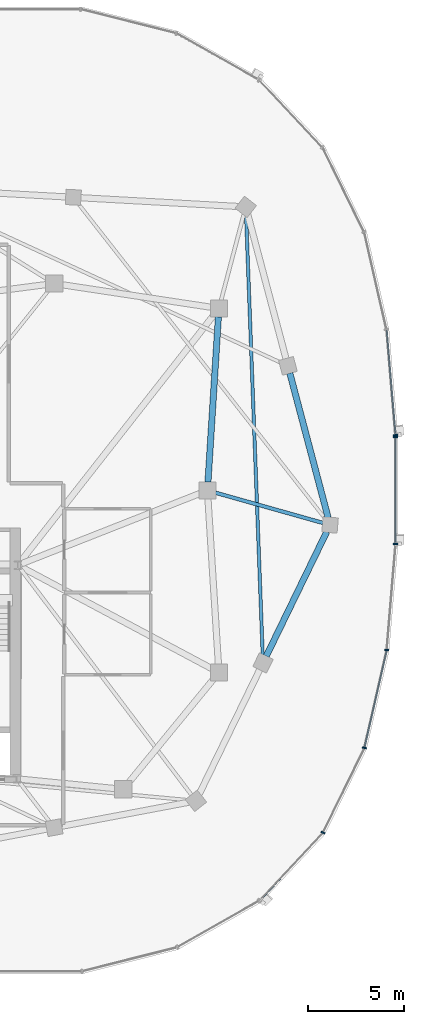
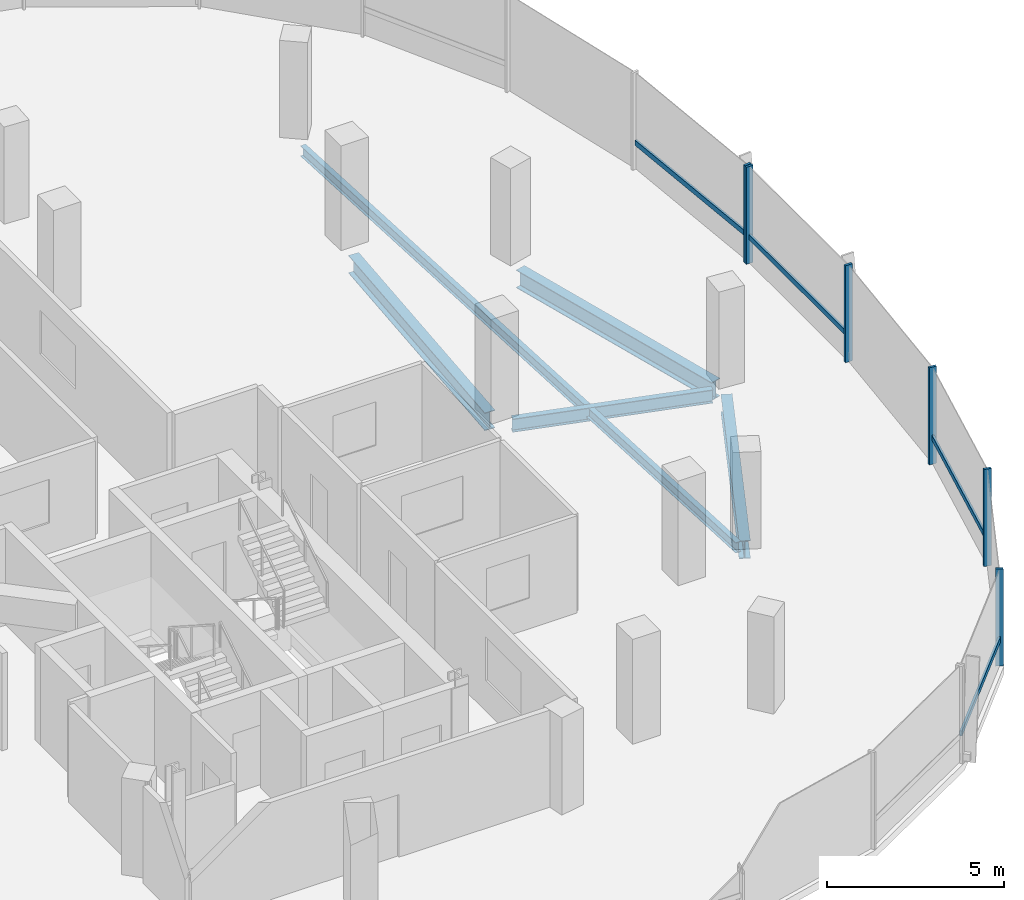
# One storey, part 9 of 25: 10 members, 5 beams, 2 elements without a shape of their own.
"""IFC4 building model written with IfcOpenShell, lengths in metres."""

from ifc_helpers import new_model, si_unit, direction, frame, origin, origin_2d, place, context, subcontext, project, spatial, rectangle, i_section, extrude, material, material_profile, profile_set, type_object, element, aggregate, save


model = new_model("IFC4")

# Units and contexts
model_context = context("Model", 3, precision=1e-05, world=origin(), true_north=direction((0.0, 1.0)))
body_context = subcontext(model_context, "Body", "Model", "MODEL_VIEW")
ifc_project = project(units=[si_unit("LENGTHUNIT", "METRE"), si_unit("AREAUNIT", "SQUARE_METRE"), si_unit("VOLUMEUNIT", "CUBIC_METRE"), si_unit("PLANEANGLEUNIT", "RADIAN"), si_unit("MASSUNIT", "GRAM", prefix="KILO"), si_unit("THERMODYNAMICTEMPERATUREUNIT", "KELVIN"), si_unit("POWERUNIT", "WATT")], contexts=[model_context])

# Site, building, storey
site_placement = place(None, origin())
site = spatial("IfcSite", under=ifc_project, at=site_placement, CompositionType="ELEMENT")
building_placement = place(site_placement, origin())
building = spatial("IfcBuilding", under=site, at=building_placement, Name="Cundina Bronze Exchange", CompositionType="ELEMENT")
storey_placement = place(building_placement, frame((0.0, 0.0, 272.0)))
storey = spatial("IfcBuildingStorey", under=building, at=storey_placement, Name="L72", CompositionType="ELEMENT", Elevation=272.0)

# Beams
ifc_material_1 = material(Name="Steel ASTM A992 Grade 50", Category="steel")
ifc_material_profile_1 = material_profile(ifc_material_1, i_section(OverallWidth=0.19091796875, OverallDepth=0.4599609375, WebThickness=0.010009765625, FlangeThickness=0.01611328125, FilletRadius=0.011962890625, at=origin_2d()), Name="W18X55", Category="steel")
ifc_profile_set_1 = profile_set([ifc_material_profile_1], Name="Steel ASTM A992 Grade 50")
beam_type_1 = type_object("IfcBeamType", Name="BM-FLR-W18B", PredefinedType="BEAM", material=ifc_profile_set_1)
beam_1_placement = place(storey_placement, frame((41.62158203125, -0.11865234375, -0.489990234375), z_axis=(0.962650257113, -0.270748005496, 0.0), x_axis=(0.270748005496, 0.962650257113, 0.0)))
element("IfcBeam", 1, at=beam_1_placement, inside=storey, type_object=beam_type_1, Name="L72 Leg E Chordal Floor Beam 08", PredefinedType="BEAM", context=body_context, shape_type="SweptSolid", body=[
    extrude(i_section(OverallWidth=0.19091796875, OverallDepth=0.4599609375, WebThickness=0.010009765625, FlangeThickness=0.01611328125, FilletRadius=0.011962890625, at=origin_2d()), origin(), (0.0, 0.0, 1.0), 5.822509765625),
])
ifc_material_profile_2 = material_profile(ifc_material_1, i_section(OverallWidth=0.172119140625, OverallDepth=0.35791015625, WebThickness=0.0078125, FlangeThickness=0.01318359375, FilletRadius=0.010009765625, at=origin_2d()), Name="W14X38", Category="steel")
ifc_profile_set_2 = profile_set([ifc_material_profile_2], Name="Steel ASTM A992 Grade 50")
beam_type_2 = type_object("IfcBeamType", Name="BM-JST-W14", PredefinedType="JOIST", material=ifc_profile_set_2)
beam_2_placement = place(storey_placement, frame((44.085205078125, -8.6123046875, -0.43896484375), z_axis=(-0.037784872152, 0.999285896746, 0.0), x_axis=(-0.999285896746, -0.037784872152, 0.0)))
element("IfcBeam", 2, at=beam_2_placement, inside=storey, type_object=beam_type_2, Name="L72 Leg E Lobe Floor Joist 07-10", PredefinedType="JOIST", context=body_context, shape_type="SweptSolid", body=[
    extrude(i_section(OverallWidth=0.172119140625, OverallDepth=0.35791015625, WebThickness=0.0078125, FlangeThickness=0.01318359375, FilletRadius=0.010009765625, at=origin_2d()), origin(), (0.0, 0.0, 1.0), 23.041015625),
])
ifc_material_profile_3 = material_profile(ifc_material_1, i_section(OverallWidth=0.324951171875, OverallDepth=0.615966796875, WebThickness=0.013916015625, FlangeThickness=0.021484375, FilletRadius=0.01611328125, at=origin_2d()), Name="W24X117", Category="steel")
ifc_profile_set_3 = profile_set([ifc_material_profile_3], Name="Steel ASTM A992 Grade 50")
beam_type_3 = type_object("IfcBeamType", Name="BM-RING-W24", PredefinedType="USERDEFINED", material=ifc_profile_set_3)
beam_3_placement = place(storey_placement, frame((41.2275390625, 0.43701171875, -0.568115234375), z_axis=(0.063046519736, 0.998010589297, 0.0), x_axis=(-0.998010589297, 0.063046519736, 0.0)))
element("IfcBeam", 3, at=beam_3_placement, inside=storey, type_object=beam_type_3, Name="L72 E Inner Structural Ring Girder 04", ObjectType="GIRDER", PredefinedType="USERDEFINED", context=body_context, shape_type="SweptSolid", body=[
    extrude(i_section(OverallWidth=0.324951171875, OverallDepth=0.615966796875, WebThickness=0.013916015625, FlangeThickness=0.021484375, FilletRadius=0.01611328125, at=origin_2d()), origin(), (0.0, 0.0, 1.0), 8.64306640625),
])
beam_4_placement = place(storey_placement, frame((44.26953125, -8.65087890625, -0.568115234375), z_axis=(0.437216986791, 0.899356050995, 0.0), x_axis=(-0.899356050995, 0.437216986791, 0.0)))
element("IfcBeam", 4, at=beam_4_placement, inside=storey, type_object=beam_type_3, Name="L72 E Perimeter Ring Girder 07", ObjectType="GIRDER", PredefinedType="USERDEFINED", context=body_context, shape_type="SweptSolid", body=[
    extrude(i_section(OverallWidth=0.324951171875, OverallDepth=0.615966796875, WebThickness=0.013916015625, FlangeThickness=0.021484375, FilletRadius=0.01611328125, at=origin_2d()), origin(), (0.0, 0.0, 1.0), 7.2294921875),
])
beam_5_placement = place(storey_placement, frame((47.50048828125, -1.425048828125, -0.568115234375), z_axis=(-0.256183793797, 0.966628089699, 0.0), x_axis=(-0.966628089699, -0.256183793797, 0.0)))
element("IfcBeam", 5, at=beam_5_placement, inside=storey, type_object=beam_type_3, Name="L72 E Perimeter Ring Girder 08", ObjectType="GIRDER", PredefinedType="USERDEFINED", context=body_context, shape_type="SweptSolid", body=[
    extrude(i_section(OverallWidth=0.324951171875, OverallDepth=0.615966796875, WebThickness=0.013916015625, FlangeThickness=0.021484375, FilletRadius=0.01611328125, at=origin_2d()), origin(), (0.0, 0.0, 1.0), 7.810791015625),
])

# Curtain wall, member
ifc_material_2 = material(Name="Anodised Bronze Aluminium 6063-T6", Category="aluminium")
curtain_wall_type = type_object("IfcCurtainWallType", Name="CWS-SKG-BRG", PredefinedType="NOTDEFINED", material=ifc_material_2)
curtain_wall_1_placement = place(storey_placement, origin())
curtain_wall_1 = element("IfcCurtainWall", 6, at=curtain_wall_1_placement, inside=storey, type_object=curtain_wall_type, Name="L72 CW-06 Curtain Wall Run CWR-L72-E1", PredefinedType="NOTDEFINED")
ifc_material_profile_4 = material_profile(ifc_material_2, rectangle(XDim=0.074951171875, YDim=0.219970703125, at=origin_2d()), Name="AL75X220", Category="aluminium")
ifc_profile_set_4 = profile_set([ifc_material_profile_4], Name="Anodised Bronze Aluminium 6063-T6")
member_type_1 = type_object("IfcMemberType", Name="CWM-MUL-220", PredefinedType="MULLION", material=ifc_profile_set_4)
member_1_placement = place(storey_placement, frame((51.01513671875, 2.885498046875, 0.0), z_axis=(0.0, 0.0, 1.0), x_axis=(-0.083677843332, 0.99649285925, 0.0)))
member_1 = element("IfcMember", 7, at=member_1_placement, type_object=member_type_1, Name="CW-06 Mullion 1", PredefinedType="MULLION", context=body_context, shape_type="SweptSolid", body=[
    extrude(rectangle(XDim=0.074951171875, YDim=0.219970703125, at=origin_2d()), origin(), (0.0, 0.0, 1.0), 3.340087890625),
])

# Curtain wall, members
curtain_wall_2_placement = place(storey_placement, origin())
curtain_wall_2 = element("IfcCurtainWall", 8, at=curtain_wall_2_placement, inside=storey, type_object=curtain_wall_type, Name="L72 CW-06 Curtain Wall Run CWR-L72-E4", PredefinedType="NOTDEFINED")
member_2_placement = place(storey_placement, frame((47.2333984375, -17.856689453125, 0.0), z_axis=(0.0, 0.0, 1.0), x_axis=(0.440566004113, 0.897720221461, 0.0)))
member_2 = element("IfcMember", 9, at=member_2_placement, type_object=member_type_1, Name="CW-06 Mullion 2", PredefinedType="MULLION", context=body_context, shape_type="SweptSolid", body=[
    extrude(rectangle(XDim=0.074951171875, YDim=0.219970703125, at=origin_2d()), origin(), (0.0, 0.0, 1.0), 3.340087890625),
])
member_3_placement = place(storey_placement, frame((49.39404296875, -13.433837890625, 0.0), z_axis=(0.0, 0.0, 1.0), x_axis=(0.223250116011, 0.974761194191, 0.0)))
member_3 = element("IfcMember", 10, at=member_3_placement, type_object=member_type_1, Name="CW-06 Mullion 3", PredefinedType="MULLION", context=body_context, shape_type="SweptSolid", body=[
    extrude(rectangle(XDim=0.074951171875, YDim=0.219970703125, at=origin_2d()), origin(), (0.0, 0.0, 1.0), 3.340087890625),
])
member_4_placement = place(storey_placement, frame((50.557861328125, -8.32568359375, 0.0), z_axis=(0.0, 0.0, 1.0), x_axis=(0.083677843332, 0.99649285925, 0.0)))
member_4 = element("IfcMember", 11, at=member_4_placement, type_object=member_type_1, Name="CW-06 Mullion 4", PredefinedType="MULLION", context=body_context, shape_type="SweptSolid", body=[
    extrude(rectangle(XDim=0.074951171875, YDim=0.219970703125, at=origin_2d()), origin(), (0.0, 0.0, 1.0), 3.340087890625),
])
member_5_placement = place(storey_placement, frame((51.01904296875, -2.79150390625, 0.0), z_axis=(0.0, 0.0, 1.0), x_axis=(0.0, 1.0, 0.0)))
member_5 = element("IfcMember", 12, at=member_5_placement, type_object=member_type_1, Name="CW-06 Mullion 5", PredefinedType="MULLION", context=body_context, shape_type="SweptSolid", body=[
    extrude(rectangle(XDim=0.074951171875, YDim=0.219970703125, at=origin_2d()), origin(), (0.0, 0.0, 1.0), 3.340087890625),
])
member_6_placement = place(storey_placement, frame((51.01904296875, 2.79150390625, 0.0), z_axis=(0.0, 0.0, 1.0), x_axis=(0.0, 1.0, 0.0)))
member_6 = element("IfcMember", 13, at=member_6_placement, type_object=member_type_1, Name="CW-06 End Mullion", PredefinedType="MULLION", context=body_context, shape_type="SweptSolid", body=[
    extrude(rectangle(XDim=0.074951171875, YDim=0.219970703125, at=origin_2d()), origin(), (0.0, 0.0, 1.0), 3.340087890625),
])

# Member
ifc_material_profile_5 = material_profile(ifc_material_2, rectangle(XDim=0.070068359375, YDim=0.179931640625, at=origin_2d()), Name="AL70X180", Category="aluminium")
ifc_profile_set_5 = profile_set([ifc_material_profile_5], Name="Anodised Bronze Aluminium 6063-T6")
member_type_2 = type_object("IfcMemberType", Name="CWM-TRN-180", PredefinedType="USERDEFINED", material=ifc_profile_set_5)
member_7_placement = place(storey_placement, frame((51.01171875, 2.926513671875, 0.919921875), z_axis=(-0.083756005485, 0.996486292703, 0.0), x_axis=(-0.996486292703, -0.083756005485, 0.0)))
member_7 = element("IfcMember", 14, at=member_7_placement, type_object=member_type_2, Name="CW-06 Spandrel Transom 1", ObjectType="TRANSOM", PredefinedType="USERDEFINED", context=body_context, shape_type="SweptSolid", body=[
    extrude(rectangle(XDim=0.070068359375, YDim=0.179931640625, at=origin_2d()), origin(), (0.0, 0.0, 1.0), 5.459716796875),
])

aggregate(curtain_wall_1, [member_1, member_7])

member_8_placement = place(storey_placement, frame((43.968505859375, -21.349609375, 0.919921875), z_axis=(0.684328474899, 0.729173873944, 0.0), x_axis=(-0.729173873944, 0.684328474899, 0.0)))
member_8 = element("IfcMember", 15, at=member_8_placement, type_object=member_type_2, Name="CW-06 Spandrel Transom 1", ObjectType="TRANSOM", PredefinedType="USERDEFINED", context=body_context, shape_type="SweptSolid", body=[
    extrude(rectangle(XDim=0.070068359375, YDim=0.179931640625, at=origin_2d()), origin(), (0.0, 0.0, 1.0), 4.758056640625),
])

member_9_placement = place(storey_placement, frame((49.4033203125, -13.3935546875, 0.919921875), z_axis=(0.223257048806, 0.974759606343, 0.0), x_axis=(-0.974759606343, 0.223257048806, 0.0)))
member_9 = element("IfcMember", 16, at=member_9_placement, type_object=member_type_2, Name="CW-06 Spandrel Transom 3", ObjectType="TRANSOM", PredefinedType="USERDEFINED", context=body_context, shape_type="SweptSolid", body=[
    extrude(rectangle(XDim=0.070068359375, YDim=0.179931640625, at=origin_2d()), origin(), (0.0, 0.0, 1.0), 5.15283203125),
])

member_10_placement = place(storey_placement, frame((51.01904296875, -2.750244140625, 0.919921875), z_axis=(0.0, 1.0, 0.0), x_axis=(-1.0, 0.0, 0.0)))
member_10 = element("IfcMember", 17, at=member_10_placement, type_object=member_type_2, Name="CW-06 Spandrel Transom 5", ObjectType="TRANSOM", PredefinedType="USERDEFINED", context=body_context, shape_type="SweptSolid", body=[
    extrude(rectangle(XDim=0.070068359375, YDim=0.179931640625, at=origin_2d()), origin(), (0.0, 0.0, 1.0), 5.50048828125),
])

aggregate(curtain_wall_2, [member_8, member_2, member_3, member_9, member_4, member_5, member_6, member_10])

save(model, "model.ifc")
